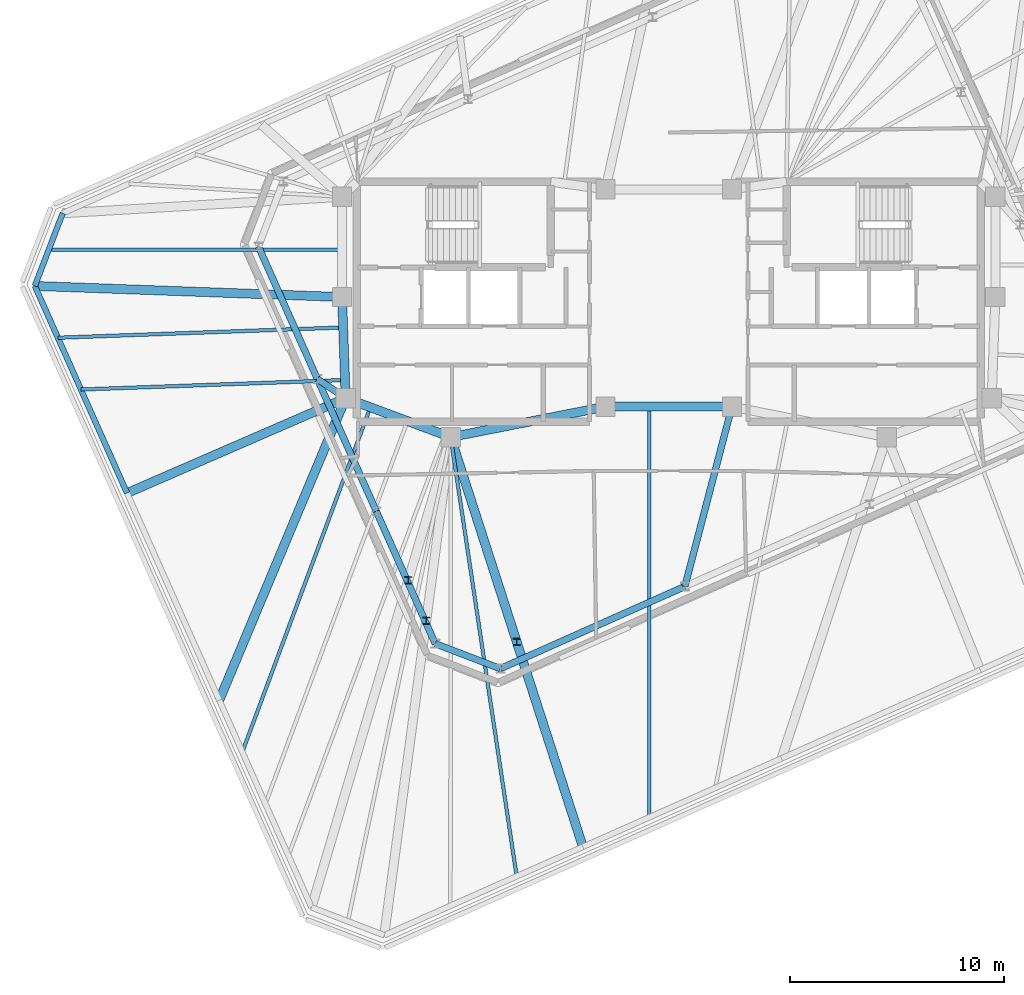
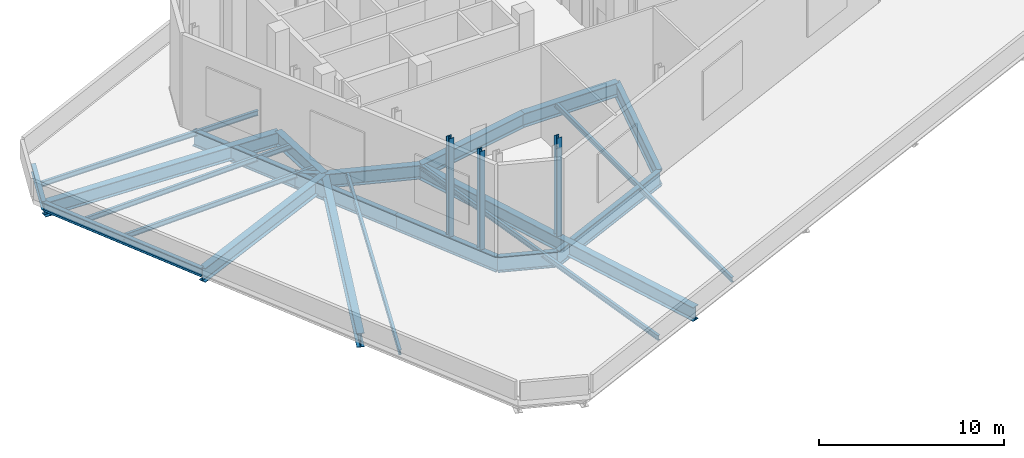
# One storey, part 4 of 10: 23 beams, 3 members.
"""IFC4 building model written with IfcOpenShell, lengths in metres."""

from ifc_helpers import new_model, si_unit, direction, frame, origin, origin_2d, place, context, subcontext, project, spatial, i_section, extrude, material, material_profile, profile_set, type_object, element, save


model = new_model("IFC4")

# Units and contexts
model_context = context("Model", 3, precision=1e-05, world=origin(), true_north=direction((0.0, 1.0)))
body_context = subcontext(model_context, "Body", "Model", "MODEL_VIEW")
ifc_project = project(units=[si_unit("LENGTHUNIT", "METRE"), si_unit("AREAUNIT", "SQUARE_METRE"), si_unit("VOLUMEUNIT", "CUBIC_METRE"), si_unit("PLANEANGLEUNIT", "RADIAN"), si_unit("MASSUNIT", "GRAM", prefix="KILO")], contexts=[model_context])

# Site, building, storey
site_placement = place(None, origin())
site = spatial("IfcSite", under=ifc_project, at=site_placement, CompositionType="ELEMENT")
building_placement = place(site_placement, origin())
building = spatial("IfcBuilding", under=site, at=building_placement, Name="Menara Jurai Vektor", CompositionType="ELEMENT")
storey_placement = place(building_placement, frame((0.0, 0.0, 305.550048828125)))
storey = spatial("IfcBuildingStorey", under=building, at=storey_placement, Name="L82", CompositionType="ELEMENT", Elevation=305.550048828125)

# Beams
ifc_material_1 = material(Name="Steel S460", Category="steel")
ifc_material_profile_1 = material_profile(ifc_material_1, i_section(OverallWidth=0.30908203125, OverallDepth=1.035888671875, WebThickness=0.030029296875, FlangeThickness=0.053955078125, FilletRadius=0.030029296875, at=origin_2d()), Name="UKB 1016x305x487")
ifc_profile_set_1 = profile_set([ifc_material_profile_1], Name="Steel S460")
beam_type_1 = type_object("IfcBeamType", Name="STR-BM-TR1016", PredefinedType="BEAM", material=ifc_profile_set_1)
beam_1_placement = place(storey_placement, frame((-7.86279296875, -17.12890625, -0.923095703125), z_axis=(0.913542400823, 0.406743508735, 0.0), x_axis=(-0.406743508735, 0.913542400823, 0.0)))
element("IfcBeam", 1, at=beam_1_placement, inside=storey, type_object=beam_type_1, Name="Drum Base Transfer Ring Girder 01", PredefinedType="BEAM", context=body_context, shape_type="SweptSolid", body=[
    extrude(i_section(OverallWidth=0.30908203125, OverallDepth=1.035888671875, WebThickness=0.030029296875, FlangeThickness=0.053955078125, FilletRadius=0.030029296875, at=origin_2d()), origin(), (0.0, 0.0, 1.0), 9.433349609375),
])
beam_2_placement = place(storey_placement, frame((0.7548828125, -13.2919921875, -0.923095703125), z_axis=(0.253050845091, 0.967452980666, 0.0), x_axis=(-0.967452980666, 0.253050845091, 0.0)))
element("IfcBeam", 2, at=beam_2_placement, inside=storey, type_object=beam_type_1, Name="Drum Transfer Girder 02", PredefinedType="BEAM", context=body_context, shape_type="SweptSolid", body=[
    extrude(i_section(OverallWidth=0.30908203125, OverallDepth=1.035888671875, WebThickness=0.030029296875, FlangeThickness=0.053955078125, FilletRadius=0.030029296875, at=origin_2d()), origin(), (0.0, 0.0, 1.0), 8.67431640625),
])
beam_3_placement = place(storey_placement, frame((-19.15625, 2.581787109375, -0.923095703125), z_axis=(0.406747616829, -0.913540571734, 0.0), x_axis=(0.913540571734, 0.406747616829, 0.0)))
element("IfcBeam", 3, at=beam_3_placement, inside=storey, type_object=beam_type_1, Name="Drum Base Transfer Ring Girder 13", PredefinedType="BEAM", context=body_context, shape_type="SweptSolid", body=[
    extrude(i_section(OverallWidth=0.30908203125, OverallDepth=1.035888671875, WebThickness=0.030029296875, FlangeThickness=0.053955078125, FilletRadius=0.030029296875, at=origin_2d()), origin(), (0.0, 0.0, 1.0), 6.766845703125),
])
beam_4_placement = place(storey_placement, frame((-16.40380859375, -3.60009765625, -0.923095703125), z_axis=(0.40674431916, -0.913542039991, 0.0), x_axis=(0.913542039991, 0.40674431916, 0.0)))
element("IfcBeam", 4, at=beam_4_placement, inside=storey, type_object=beam_type_1, Name="Drum Base Transfer Ring Girder 14", PredefinedType="BEAM", context=body_context, shape_type="SweptSolid", body=[
    extrude(i_section(OverallWidth=0.30908203125, OverallDepth=1.035888671875, WebThickness=0.030029296875, FlangeThickness=0.053955078125, FilletRadius=0.030029296875, at=origin_2d()), origin(), (0.0, 0.0, 1.0), 6.766357421875),
])
beam_5_placement = place(storey_placement, frame((-16.40380859375, -3.60009765625, -0.923095703125), z_axis=(0.826994581898, -0.562209890977, 0.0), x_axis=(0.562209890977, 0.826994581898, 0.0)))
element("IfcBeam", 5, at=beam_5_placement, inside=storey, type_object=beam_type_1, Name="Drum Transfer Girder 14", PredefinedType="BEAM", context=body_context, shape_type="SweptSolid", body=[
    extrude(i_section(OverallWidth=0.30908203125, OverallDepth=1.035888671875, WebThickness=0.030029296875, FlangeThickness=0.053955078125, FilletRadius=0.030029296875, at=origin_2d()), origin(), (0.0, 0.0, 1.0), 1.6005859375),
])
beam_6_placement = place(storey_placement, frame((-13.651611328125, -9.781494140625, -0.923095703125), z_axis=(0.406717506727, -0.913553977454, 0.0), x_axis=(0.913553977454, 0.406717506727, 0.0)))
element("IfcBeam", 6, at=beam_6_placement, inside=storey, type_object=beam_type_1, Name="Drum Base Transfer Ring Girder 15", PredefinedType="BEAM", context=body_context, shape_type="SweptSolid", body=[
    extrude(i_section(OverallWidth=0.30908203125, OverallDepth=1.035888671875, WebThickness=0.030029296875, FlangeThickness=0.053955078125, FilletRadius=0.030029296875, at=origin_2d()), origin(), (0.0, 0.0, 1.0), 6.766845703125),
])
beam_7_placement = place(storey_placement, frame((-10.8994140625, -15.96337890625, -0.923095703125), z_axis=(0.933593003906, -0.358335182557, 0.0), x_axis=(0.358335182557, 0.933593003906, 0.0)))
element("IfcBeam", 7, at=beam_7_placement, inside=storey, type_object=beam_type_1, Name="Drum Base Transfer Ring Girder 16", PredefinedType="BEAM", context=body_context, shape_type="SweptSolid", body=[
    extrude(i_section(OverallWidth=0.30908203125, OverallDepth=1.035888671875, WebThickness=0.030029296875, FlangeThickness=0.053955078125, FilletRadius=0.030029296875, at=origin_2d()), origin(), (0.0, 0.0, 1.0), 3.252685546875),
])
ifc_material_profile_2 = material_profile(ifc_material_1, i_section(OverallWidth=0.4208984375, OverallDepth=0.9208984375, WebThickness=0.02099609375, FlangeThickness=0.037109375, FilletRadius=0.02392578125, at=origin_2d()), Name="UKB 914x419x388")
ifc_profile_set_2 = profile_set([ifc_material_profile_2], Name="Steel S460")
beam_type_2 = type_object("IfcBeamType", Name="STR-BM-TR914", PredefinedType="BEAM", material=ifc_profile_set_2)
beam_8_placement = place(storey_placement, frame((-15.080078125, -4.5, -0.865478515625), z_axis=(-0.035977314146, 0.999352606874, 0.0), x_axis=(-0.999352606874, -0.035977314146, 0.0)))
element("IfcBeam", 8, at=beam_8_placement, inside=storey, type_object=beam_type_2, Name="Core Ring Header Girder L82-CHW-W2", PredefinedType="BEAM", context=body_context, shape_type="SweptSolid", body=[
    extrude(i_section(OverallWidth=0.4208984375, OverallDepth=0.9208984375, WebThickness=0.02099609375, FlangeThickness=0.037109375, FilletRadius=0.02392578125, at=origin_2d()), origin(), (0.0, 0.0, 1.0), 4.72314453125),
])
beam_9_placement = place(storey_placement, frame((-15.080078125, -4.5, -0.865478515625), z_axis=(0.937424400887, -0.348188874925, 0.0), x_axis=(0.348188874925, 0.937424400887, 0.0)))
element("IfcBeam", 9, at=beam_9_placement, inside=storey, type_object=beam_type_2, Name="Core Ring Header Girder L82-CHW-S1", PredefinedType="BEAM", context=body_context, shape_type="SweptSolid", body=[
    extrude(i_section(OverallWidth=0.4208984375, OverallDepth=0.9208984375, WebThickness=0.02099609375, FlangeThickness=0.037109375, FilletRadius=0.02392578125, at=origin_2d()), origin(), (0.0, 0.0, 1.0), 5.227294921875),
])
beam_10_placement = place(storey_placement, frame((-10.179931640625, -6.320068359375, -0.865478515625), z_axis=(0.981249044334, 0.192744164614, 0.0), x_axis=(-0.192744164614, 0.981249044334, 0.0)))
element("IfcBeam", 10, at=beam_10_placement, inside=storey, type_object=beam_type_2, Name="Core Ring Header Girder L82-CHW-S2", PredefinedType="BEAM", context=body_context, shape_type="SweptSolid", body=[
    extrude(i_section(OverallWidth=0.4208984375, OverallDepth=0.9208984375, WebThickness=0.02099609375, FlangeThickness=0.037109375, FilletRadius=0.02392578125, at=origin_2d()), origin(), (0.0, 0.0, 1.0), 7.3681640625),
])
beam_11_placement = place(storey_placement, frame((-2.949951171875, -4.89990234375, -0.865478515625), z_axis=(1.0, 0.0, 0.0), x_axis=(0.0, 1.0, 0.0)))
element("IfcBeam", 11, at=beam_11_placement, inside=storey, type_object=beam_type_2, Name="Core Ring Header Girder L82-CC-1", PredefinedType="BEAM", context=body_context, shape_type="SweptSolid", body=[
    extrude(i_section(OverallWidth=0.4208984375, OverallDepth=0.9208984375, WebThickness=0.02099609375, FlangeThickness=0.037109375, FilletRadius=0.02392578125, at=origin_2d()), origin(), (0.0, 0.0, 1.0), 5.89990234375),
])
beam_12_placement = place(storey_placement, frame((-4.006103515625, -25.4482421875, -0.865478515625), z_axis=(-0.307158217721, 0.95165846252, 0.0), x_axis=(-0.95165846252, -0.307158217721, 0.0)))
element("IfcBeam", 12, at=beam_12_placement, inside=storey, type_object=beam_type_2, Name="Drum Transfer Girder L82-S2", PredefinedType="BEAM", context=body_context, shape_type="SweptSolid", body=[
    extrude(i_section(OverallWidth=0.4208984375, OverallDepth=0.9208984375, WebThickness=0.02099609375, FlangeThickness=0.037109375, FilletRadius=0.02392578125, at=origin_2d()), origin(), (0.0, 0.0, 1.0), 20.099853515625),
])
beam_13_placement = place(storey_placement, frame((-29.591796875, 0.73681640625, -0.865478515625), z_axis=(0.999351273077, -0.03601434436, 0.0), x_axis=(0.03601434436, 0.999351273077, 0.0)))
element("IfcBeam", 13, at=beam_13_placement, inside=storey, type_object=beam_type_2, Name="Drum Transfer Girder L82-W1", PredefinedType="BEAM", context=body_context, shape_type="SweptSolid", body=[
    extrude(i_section(OverallWidth=0.4208984375, OverallDepth=0.9208984375, WebThickness=0.02099609375, FlangeThickness=0.037109375, FilletRadius=0.02392578125, at=origin_2d()), origin(), (0.0, 0.0, 1.0), 14.35107421875),
])
beam_14_placement = place(storey_placement, frame((-25.286376953125, -8.933349609375, -0.865478515625), z_axis=(0.917207084259, 0.398410798781, 0.0), x_axis=(-0.398410798781, 0.917207084259, 0.0)))
element("IfcBeam", 14, at=beam_14_placement, inside=storey, type_object=beam_type_2, Name="Drum Transfer Girder L82-W2", PredefinedType="BEAM", context=body_context, shape_type="SweptSolid", body=[
    extrude(i_section(OverallWidth=0.4208984375, OverallDepth=0.9208984375, WebThickness=0.02099609375, FlangeThickness=0.037109375, FilletRadius=0.02392578125, at=origin_2d()), origin(), (0.0, 0.0, 1.0), 11.127685546875),
])
beam_15_placement = place(storey_placement, frame((-20.98095703125, -18.603271484375, -0.865478515625), z_axis=(0.38598134247, 0.922506587112, 0.0), x_axis=(-0.922506587112, 0.38598134247, 0.0)))
element("IfcBeam", 15, at=beam_15_placement, inside=storey, type_object=beam_type_2, Name="Drum Transfer Girder L82-W3", PredefinedType="BEAM", context=body_context, shape_type="SweptSolid", body=[
    extrude(i_section(OverallWidth=0.4208984375, OverallDepth=0.9208984375, WebThickness=0.02099609375, FlangeThickness=0.037109375, FilletRadius=0.02392578125, at=origin_2d()), origin(), (0.0, 0.0, 1.0), 15.2880859375),
])
ifc_material_2 = material(Name="Steel S355", Category="steel")
ifc_material_profile_3 = material_profile(ifc_material_2, i_section(OverallWidth=0.1650390625, OverallDepth=0.330078125, WebThickness=0.009033203125, FlangeThickness=0.013916015625, at=origin_2d()), Name="PG 330x165x46")
ifc_profile_set_3 = profile_set([ifc_material_profile_3], Name="Steel S355")
beam_type_3 = type_object("IfcBeamType", Name="STR-JS-330", PredefinedType="JOIST", material=ifc_profile_set_3)
beam_16_placement = place(storey_placement, frame((-7.09716796875, -26.824462890625, -0.570068359375), z_axis=(-0.148675540239, 0.988886031722, 0.0), x_axis=(-0.988886031722, -0.148675540239, 0.0)))
element("IfcBeam", 16, at=beam_16_placement, inside=storey, type_object=beam_type_3, Name="Radial Secondary Floor Joist L82-JS02", PredefinedType="JOIST", context=body_context, shape_type="SweptSolid", body=[
    extrude(i_section(OverallWidth=0.1650390625, OverallDepth=0.330078125, WebThickness=0.009033203125, FlangeThickness=0.013916015625, at=origin_2d()), origin(), (0.0, 0.0, 1.0), 20.73486328125),
])
beam_17_placement = place(storey_placement, frame((-0.914794921875, -24.072021484375, -0.570068359375), z_axis=(0.0, 1.0, 0.0), x_axis=(-1.0, 0.0, 0.0)))
element("IfcBeam", 17, at=beam_17_placement, inside=storey, type_object=beam_type_3, Name="Radial Secondary Floor Joist L82-JS03", PredefinedType="JOIST", context=body_context, shape_type="SweptSolid", body=[
    extrude(i_section(OverallWidth=0.1650390625, OverallDepth=0.330078125, WebThickness=0.009033203125, FlangeThickness=0.013916015625, at=origin_2d()), origin(), (0.0, 0.0, 1.0), 19.172119140625),
])
beam_18_placement = place(storey_placement, frame((-28.93994140625, 2.434814453125, -0.570068359375), z_axis=(1.0, 0.0, 0.0), x_axis=(0.0, 1.0, 0.0)))
element("IfcBeam", 18, at=beam_18_placement, inside=storey, type_object=beam_type_3, Name="Radial Secondary Floor Joist L82-JS25", PredefinedType="JOIST", context=body_context, shape_type="SweptSolid", body=[
    extrude(i_section(OverallWidth=0.1650390625, OverallDepth=0.330078125, WebThickness=0.009033203125, FlangeThickness=0.013916015625, at=origin_2d()), origin(), (0.0, 0.0, 1.0), 13.68994140625),
])
beam_19_placement = place(storey_placement, frame((-28.515380859375, -1.6806640625, -0.570068359375), z_axis=(0.999352378837, 0.035983647851, 0.0), x_axis=(-0.035983647851, 0.999352378837, 0.0)))
element("IfcBeam", 19, at=beam_19_placement, inside=storey, type_object=beam_type_3, Name="Radial Secondary Floor Joist L82-JS26", PredefinedType="JOIST", context=body_context, shape_type="SweptSolid", body=[
    extrude(i_section(OverallWidth=0.1650390625, OverallDepth=0.330078125, WebThickness=0.009033203125, FlangeThickness=0.013916015625, at=origin_2d()), origin(), (0.0, 0.0, 1.0), 13.3251953125),
])
beam_20_placement = place(storey_placement, frame((-27.43896484375, -4.09814453125, -0.570068359375), z_axis=(0.999352552329, 0.03597882924, 0.0), x_axis=(-0.03597882924, 0.999352552329, 0.0)))
element("IfcBeam", 20, at=beam_20_placement, inside=storey, type_object=beam_type_3, Name="Radial Secondary Floor Joist L82-JS27", PredefinedType="JOIST", context=body_context, shape_type="SweptSolid", body=[
    extrude(i_section(OverallWidth=0.1650390625, OverallDepth=0.330078125, WebThickness=0.009033203125, FlangeThickness=0.013916015625, at=origin_2d()), origin(), (0.0, 0.0, 1.0), 12.33642578125),
])
beam_21_placement = place(storey_placement, frame((-19.904541015625, -21.020751953125, -0.570068359375), z_axis=(0.348190100331, 0.937423945732, 0.0), x_axis=(-0.937423945732, 0.348190100331, 0.0)))
element("IfcBeam", 21, at=beam_21_placement, inside=storey, type_object=beam_type_3, Name="Radial Secondary Floor Joist L82-JS28", PredefinedType="JOIST", context=body_context, shape_type="SweptSolid", body=[
    extrude(i_section(OverallWidth=0.1650390625, OverallDepth=0.330078125, WebThickness=0.009033203125, FlangeThickness=0.013916015625, at=origin_2d()), origin(), (0.0, 0.0, 1.0), 17.166748046875),
])

# Members
ifc_material_profile_4 = material_profile(ifc_material_1, i_section(OverallWidth=0.31103515625, OverallDepth=0.326904296875, WebThickness=0.01611328125, FlangeThickness=0.02490234375, FilletRadius=0.014892578125, at=origin_2d()), Name="UKC 305x305x158")
ifc_profile_set_4 = profile_set([ifc_material_profile_4], Name="Steel S460")
member_type = type_object("IfcMemberType", Name="STR-POST-305", PredefinedType="POST", material=ifc_profile_set_4)
for number, where, z_axis, x_axis, name in (
    (22, (-11.322265625, -14.890869140625, -0.405029296875), (0.0, 0.0, 1.0), (1.0, 0.0, 0.0), "Girder Hanger L82-S1"),
    (23, (-7.093017578125, -15.884033203125, -0.405029296875), (0.0, 0.0, 1.0), (1.0, 0.0, 0.0), "Girder Hanger L82-S2"),
    (24, (-12.159423828125, -13.01025390625, -0.405029296875), (0.0, 0.0, 1.0), (1.0, 0.0, 0.0), "Girder Hanger L82-W4"),
):
    element("IfcMember", number, at=place(storey_placement, frame(where, z_axis=z_axis, x_axis=x_axis)), inside=storey, type_object=member_type, Name=name, PredefinedType="POST", context=body_context, shape_type="SweptSolid", body=[
        extrude(i_section(OverallWidth=0.31103515625, OverallDepth=0.326904296875, WebThickness=0.01611328125, FlangeThickness=0.02490234375, FilletRadius=0.014892578125, at=origin_2d()), origin(), (0.0, 0.0, 1.0), 6.5048828125),
    ])

# Beams
ifc_material_profile_5 = material_profile(ifc_material_2, i_section(OverallWidth=0.260009765625, OverallDepth=0.570068359375, WebThickness=0.013916015625, FlangeThickness=0.02392578125, at=origin_2d()), Name="PG 570x260x145")
ifc_profile_set_5 = profile_set([ifc_material_profile_5], Name="Steel S355")
beam_type_4 = type_object("IfcBeamType", Name="STR-SP-570", PredefinedType="SPANDREL", material=ifc_profile_set_5)
beam_22_placement = place(storey_placement, frame((-28.2880859375, 4.1328125, -0.68994140625), z_axis=(-0.358394346877, -0.933570293083, 0.0), x_axis=(0.933570293083, -0.358394346877, 0.0)))
element("IfcBeam", 25, at=beam_22_placement, inside=storey, type_object=beam_type_4, Name="Main Roof Perimeter Spandrel L82-16", PredefinedType="SPANDREL", context=body_context, shape_type="SweptSolid", body=[
    extrude(i_section(OverallWidth=0.260009765625, OverallDepth=0.570068359375, WebThickness=0.013916015625, FlangeThickness=0.02392578125, at=origin_2d()), origin(), (0.0, 0.0, 1.0), 3.6376953125),
])
beam_23_placement = place(storey_placement, frame((-29.591796875, 0.73681640625, -0.68994140625), z_axis=(0.40673543049, -0.91354599752, 0.0), x_axis=(0.91354599752, 0.40673543049, 0.0)))
element("IfcBeam", 26, at=beam_23_placement, inside=storey, type_object=beam_type_4, Name="Main Roof Perimeter Spandrel L82-17", PredefinedType="SPANDREL", context=body_context, shape_type="SweptSolid", body=[
    extrude(i_section(OverallWidth=0.260009765625, OverallDepth=0.570068359375, WebThickness=0.013916015625, FlangeThickness=0.02392578125, at=origin_2d()), origin(), (0.0, 0.0, 1.0), 10.585205078125),
])

save(model, "model.ifc")
